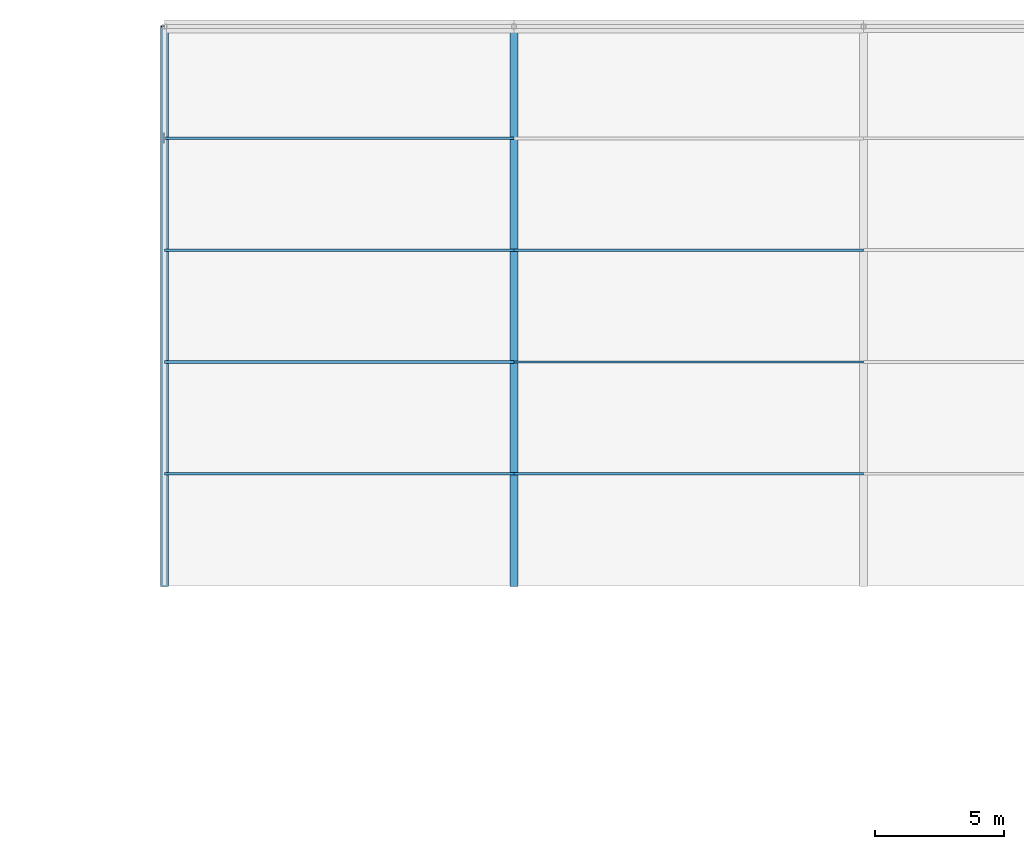
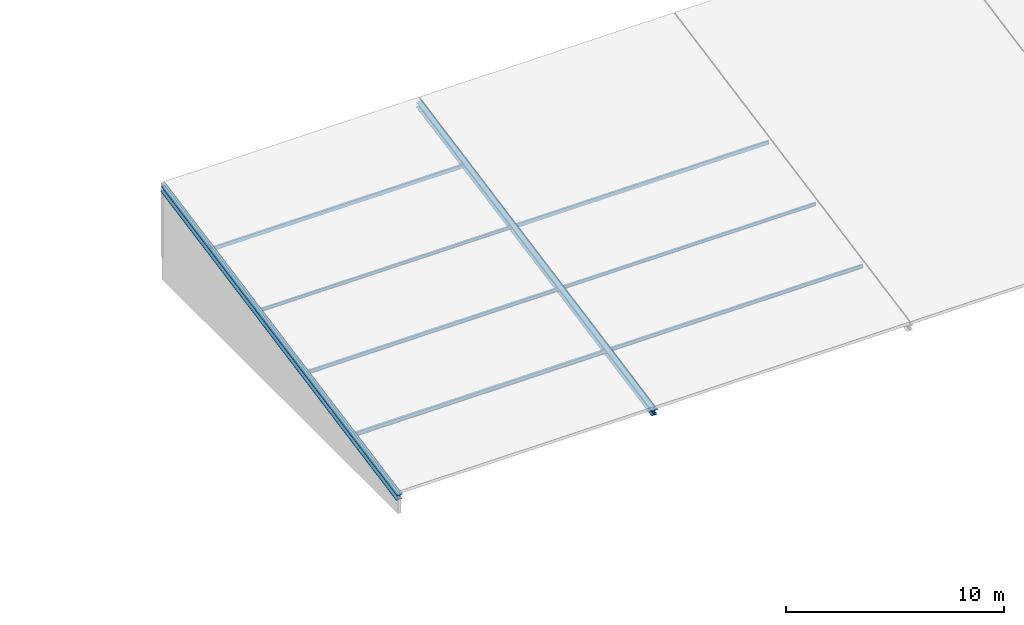
# One storey, part 40 of 80: 9 members.
"""IFC4 building model written with IfcOpenShell, lengths in metres."""

from ifc_helpers import new_model, si_unit, direction, frame, origin, origin_2d, place, context, subcontext, project, spatial, hollow_rectangle, i_section, extrude, material, material_profile, profile_set, type_object, element, save


model = new_model("IFC4")

# Units and contexts
model_context = context("Model", 3, precision=1e-05, world=origin(), true_north=direction((0.0, 1.0)))
body_context = subcontext(model_context, "Body", "Model", "MODEL_VIEW")
ifc_project = project(units=[si_unit("LENGTHUNIT", "METRE"), si_unit("AREAUNIT", "SQUARE_METRE"), si_unit("VOLUMEUNIT", "CUBIC_METRE"), si_unit("PLANEANGLEUNIT", "RADIAN"), si_unit("MASSUNIT", "GRAM", prefix="KILO")], contexts=[model_context])

# Site, building, storey
site_placement = place(None, origin())
site = spatial("IfcSite", under=ifc_project, at=site_placement, CompositionType="ELEMENT")
building_placement = place(site_placement, origin())
building = spatial("IfcBuilding", under=site, at=building_placement, Name="Fikremerkos Civic Library", CompositionType="ELEMENT")
storey_placement = place(building_placement, frame((0.0, 0.0, 9.89990234375)))
storey = spatial("IfcBuildingStorey", under=building, at=storey_placement, Name="L02", CompositionType="ELEMENT", Elevation=9.89990234375)

# Members
ifc_material = material(Name="Steel S355", Category="steel")
ifc_material_profile_1 = material_profile(ifc_material, i_section(OverallWidth=0.110107421875, OverallDepth=0.219970703125, WebThickness=0.005859375, FlangeThickness=0.00927734375, FilletRadius=0.011962890625, at=origin_2d()), Name="IPE 220")
ifc_profile_set_1 = profile_set([ifc_material_profile_1], Name="Steel S355")
member_type_1 = type_object("IfcMemberType", Name="Roof purlin PUR-02 IPE 220", PredefinedType="PURLIN", material=ifc_profile_set_1)
member_placement = place(storey_placement, frame((73.199951171875, 100.320068359375, 0.506103515625), z_axis=(1.0, 0.0, 0.0), x_axis=(0.0, 1.0, 0.0)))
element("IfcMember", 1, at=member_placement, inside=storey, type_object=member_type_1, Name="Roof purlin PUR-02 V2 bay 1.1", PredefinedType="PURLIN", context=body_context, shape_type="SweptSolid", body=[
    extrude(i_section(OverallWidth=0.110107421875, OverallDepth=0.219970703125, WebThickness=0.005859375, FlangeThickness=0.00927734375, FilletRadius=0.011962890625, at=origin_2d()), origin(), (0.0, 0.0, 1.0), 13.5),
])
ifc_material_profile_2 = material_profile(ifc_material, i_section(OverallWidth=0.10009765625, OverallDepth=0.199951171875, WebThickness=0.005615234375, FlangeThickness=0.008544921875, FilletRadius=0.011962890625, at=origin_2d()), Name="IPE 200")
ifc_profile_set_2 = profile_set([ifc_material_profile_2], Name="Steel S355")
member_type_2 = type_object("IfcMemberType", Name="Roof purlin PUR-03 IPE 200", PredefinedType="PURLIN", material=ifc_profile_set_2)
for number, where, z_axis, x_axis, name in (
    (2, (73.199951171875, 104.639892578125, 1.355712890625), (1.0, 0.0, 0.0), (0.0, 1.0, 0.0), "Roof purlin PUR-03 V2 bay 1.2"),
    (3, (86.699951171875, 100.320068359375, 0.51611328125), (1.0, 0.0, 0.0), (0.0, 1.0, 0.0), "Roof purlin PUR-03 V2 bay 2.1"),
):
    element("IfcMember", number, at=place(storey_placement, frame(where, z_axis=z_axis, x_axis=x_axis)), inside=storey, type_object=member_type_2, Name=name, PredefinedType="PURLIN", context=body_context, shape_type="SweptSolid", body=[
        extrude(i_section(OverallWidth=0.10009765625, OverallDepth=0.199951171875, WebThickness=0.005615234375, FlangeThickness=0.008544921875, FilletRadius=0.011962890625, at=origin_2d()), origin(), (0.0, 0.0, 1.0), 13.5),
    ])
ifc_material_profile_3 = material_profile(ifc_material, i_section(OverallWidth=0.091064453125, OverallDepth=0.179931640625, WebThickness=0.00537109375, FlangeThickness=0.008056640625, FilletRadius=0.009033203125, at=origin_2d()), Name="IPE 180")
ifc_profile_set_3 = profile_set([ifc_material_profile_3], Name="Steel S355")
member_type_3 = type_object("IfcMemberType", Name="Roof purlin PUR-04 IPE 180", PredefinedType="PURLIN", material=ifc_profile_set_3)
for number, where, z_axis, x_axis, name in (
    (4, (73.199951171875, 108.9599609375, 2.20556640625), (1.0, 0.0, 0.0), (0.0, 1.0, 0.0), "Roof purlin PUR-04 V2 bay 1.3"),
    (5, (86.699951171875, 104.639892578125, 1.36572265625), (1.0, 0.0, 0.0), (0.0, 1.0, 0.0), "Roof purlin PUR-04 V2 bay 2.2"),
):
    element("IfcMember", number, at=place(storey_placement, frame(where, z_axis=z_axis, x_axis=x_axis)), inside=storey, type_object=member_type_3, Name=name, PredefinedType="PURLIN", context=body_context, shape_type="SweptSolid", body=[
        extrude(i_section(OverallWidth=0.091064453125, OverallDepth=0.179931640625, WebThickness=0.00537109375, FlangeThickness=0.008056640625, FilletRadius=0.009033203125, at=origin_2d()), origin(), (0.0, 0.0, 1.0), 13.5),
    ])
ifc_material_profile_4 = material_profile(ifc_material, hollow_rectangle(XDim=0.10009765625, YDim=0.199951171875, WallThickness=0.008056640625, at=origin_2d()), Name="RHS 200x100x8")
ifc_profile_set_4 = profile_set([ifc_material_profile_4], Name="Steel S355")
member_type_4 = type_object("IfcMemberType", Name="Roof purlin PUR-05 RHS 200x100x8", PredefinedType="PURLIN", material=ifc_profile_set_4)
for number, where, z_axis, x_axis, name in (
    (6, (73.199951171875, 113.280029296875, 3.03515625), (1.0, 0.0, 0.0), (0.0, 1.0, 0.0), "Roof purlin PUR-05 V2 bay 1.4"),
    (7, (86.699951171875, 108.9599609375, 2.195556640625), (1.0, 0.0, 0.0), (0.0, 1.0, 0.0), "Roof purlin PUR-05 V2 bay 2.3"),
):
    element("IfcMember", number, at=place(storey_placement, frame(where, z_axis=z_axis, x_axis=x_axis)), inside=storey, type_object=member_type_4, Name=name, PredefinedType="PURLIN", context=body_context, shape_type="SweptSolid", body=[
        extrude(hollow_rectangle(XDim=0.10009765625, YDim=0.199951171875, WallThickness=0.008056640625, at=origin_2d()), origin(), (0.0, 0.0, 1.0), 13.5),
    ])
ifc_material_profile_5 = material_profile(ifc_material, i_section(OverallWidth=0.300048828125, OverallDepth=0.31005859375, WebThickness=0.009033203125, FlangeThickness=0.015380859375, FilletRadius=0.027099609375, at=origin_2d()), Name="HEA 320")
ifc_profile_set_5 = profile_set([ifc_material_profile_5], Name="Steel S355")
member_type_5 = type_object("IfcMemberType", Name="Truss chord CHD-02 HEA 320", PredefinedType="CHORD", material=ifc_profile_set_5)
for number, where, z_axis, x_axis, name in (
    (8, (73.199951171875, 96.0, -0.35986328125), (0.0, 0.981628437529, 0.190802543574), (-1.0, 0.0, 0.0), "North-light roof rafter chord CHD-02 X=73.2"),
    (9, (86.699951171875, 96.0, -0.35986328125), (0.0, 0.981628437529, 0.190802543574), (-1.0, 0.0, 0.0), "North-light roof rafter chord CHD-02 X=86.7"),
):
    element("IfcMember", number, at=place(storey_placement, frame(where, z_axis=z_axis, x_axis=x_axis)), inside=storey, type_object=member_type_5, Name=name, PredefinedType="CHORD", context=body_context, shape_type="SweptSolid", body=[
        extrude(i_section(OverallWidth=0.300048828125, OverallDepth=0.31005859375, WebThickness=0.009033203125, FlangeThickness=0.015380859375, FilletRadius=0.027099609375, at=origin_2d()), origin(), (0.0, 0.0, 1.0), 22.00439453125),
    ])

save(model, "model.ifc")
